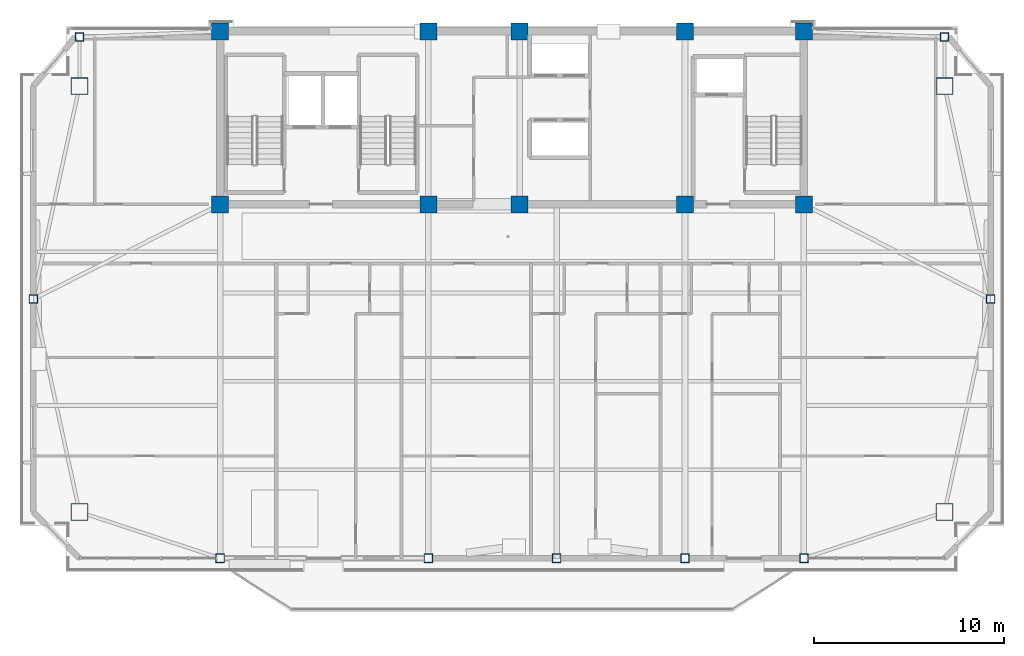
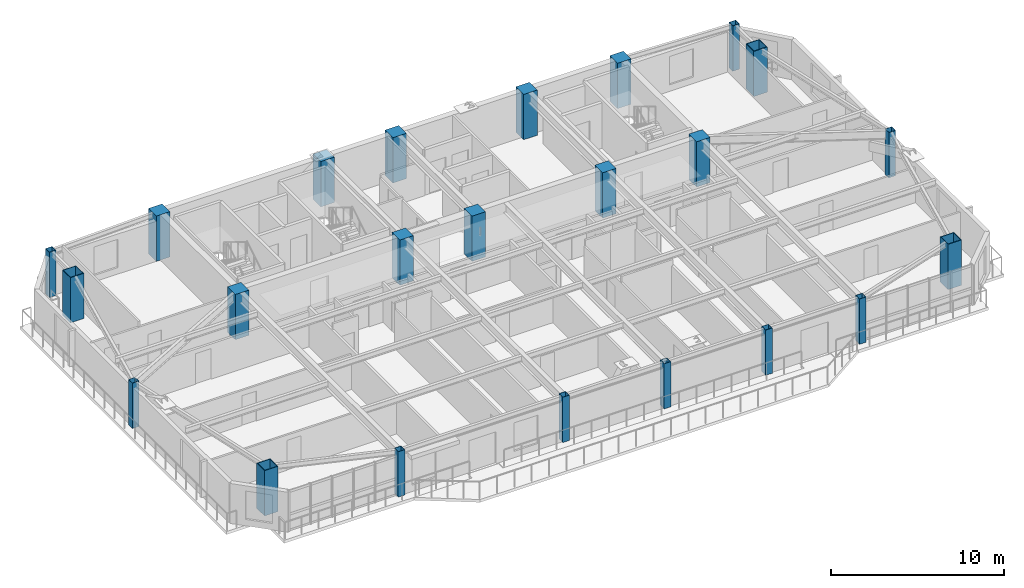
# One storey, part 1 of 15: 23 columns.
"""IFC4 building model written with IfcOpenShell, lengths in metres."""

from ifc_helpers import new_model, si_unit, direction, frame, origin, origin_2d, place, context, subcontext, project, spatial, rectangle, hollow_rectangle, extrude, source, transform, mapped, material, material_profile, profile_set, type_object, element, save


model = new_model("IFC4")

# Units and contexts
model_context = context("Model", 3, precision=1e-05, world=origin(), true_north=direction((0.0, 1.0)))
body_context = subcontext(model_context, "Body", "Model", "MODEL_VIEW")
ifc_project = project(units=[si_unit("LENGTHUNIT", "METRE"), si_unit("AREAUNIT", "SQUARE_METRE"), si_unit("VOLUMEUNIT", "CUBIC_METRE"), si_unit("PLANEANGLEUNIT", "RADIAN"), si_unit("MASSUNIT", "GRAM", prefix="KILO")], contexts=[model_context])

# Site, building, storey
site_placement = place(None, origin())
site = spatial("IfcSite", under=ifc_project, at=site_placement, CompositionType="ELEMENT")
building_placement = place(site_placement, origin())
building = spatial("IfcBuilding", under=site, at=building_placement, Name="Giltprow Tower", CompositionType="ELEMENT")
storey_placement = place(building_placement, frame((0.0, 0.0, 297.199951171875)))
storey = spatial("IfcBuildingStorey", under=building, at=storey_placement, Name="L76", CompositionType="ELEMENT", Elevation=297.199951171875)

# Columns
ifc_material_1 = material(Name="Concrete C45", Category="concrete")
ifc_material_profile_1 = material_profile(ifc_material_1, rectangle(XDim=0.89990234375, YDim=0.89990234375, at=origin_2d()), Name="RC 900x900")
ifc_profile_set_1 = profile_set([ifc_material_profile_1], Name="Concrete C45")
column_type_1 = type_object("IfcColumnType", Name="PIL-RC-900-C45", PredefinedType="PILASTER", material=ifc_profile_set_1)
shared_shape_1 = source(origin(), body_context, "Body", "SweptSolid", [
    extrude(rectangle(XDim=0.89990234375, YDim=0.89990234375, at=origin_2d()), origin(), (0.0, 0.0, 1.0), 3.18505859375),
])
for number, where, z_axis, x_axis, name in (
    (1, (19.85009765625, 37.449951171875, 0.0), (0.0, 0.0, 1.0), (1.0, 0.0, 0.0), "L76 Core Boundary Pilaster 1-1"),
    (2, (19.85009765625, 46.550048828125, 0.0), (0.0, 0.0, 1.0), (1.0, 0.0, 0.0), "L76 Core Boundary Pilaster 1-2"),
    (3, (30.800048828125, 37.449951171875, 0.0), (0.0, 0.0, 1.0), (1.0, 0.0, 0.0), "L76 Core Boundary Pilaster 2-1"),
    (4, (30.800048828125, 46.550048828125, 0.0), (0.0, 0.0, 1.0), (1.0, 0.0, 0.0), "L76 Core Boundary Pilaster 2-2"),
    (5, (35.60009765625, 37.449951171875, 0.0), (0.0, 0.0, 1.0), (1.0, 0.0, 0.0), "L76 Core Boundary Pilaster 3-1"),
    (6, (35.60009765625, 46.550048828125, 0.0), (0.0, 0.0, 1.0), (1.0, 0.0, 0.0), "L76 Core Boundary Pilaster 3-2"),
    (7, (44.300048828125, 37.449951171875, 0.0), (0.0, 0.0, 1.0), (1.0, 0.0, 0.0), "L76 Core Boundary Pilaster 4-1"),
    (8, (44.300048828125, 46.550048828125, 0.0), (0.0, 0.0, 1.0), (1.0, 0.0, 0.0), "L76 Core Boundary Pilaster 4-2"),
    (9, (50.550048828125, 37.449951171875, 0.0), (0.0, 0.0, 1.0), (1.0, 0.0, 0.0), "L76 Core Boundary Pilaster 5-1"),
    (10, (50.550048828125, 46.550048828125, 0.0), (0.0, 0.0, 1.0), (1.0, 0.0, 0.0), "L76 Core Boundary Pilaster 5-2"),
):
    element("IfcColumn", number, at=place(storey_placement, frame(where, z_axis=z_axis, x_axis=x_axis)), inside=storey, type_object=column_type_1, Name=name, PredefinedType="PILASTER", context=body_context, shape_type="MappedRepresentation", body=[
        mapped(shared_shape_1, transform((0.0, 0.0, 0.0), x_axis=(1.0, 0.0, 0.0), y_axis=(0.0, 1.0, 0.0), z_axis=(0.0, 0.0, 1.0), scale=1.0)),
    ])
ifc_material_2 = material(Name="Structural steel Q420GJC", Category="steel")
ifc_material_profile_2 = material_profile(ifc_material_2, hollow_rectangle(XDim=0.89990234375, YDim=0.89990234375, WallThickness=0.0400390625, at=origin_2d()), Name="BOX 900x900x40")
ifc_profile_set_2 = profile_set([ifc_material_profile_2], Name="Structural steel Q420GJC")
column_type_2 = type_object("IfcColumnType", Name="COL-BOX-900x900x40", PredefinedType="COLUMN", material=ifc_profile_set_2)
shared_shape_2 = source(origin(), body_context, "Body", "SweptSolid", [
    extrude(hollow_rectangle(XDim=0.89990234375, YDim=0.89990234375, WallThickness=0.0400390625, at=origin_2d()), origin(), (0.0, 0.0, 1.0), 3.18505859375),
])
for number, where, z_axis, x_axis, name in (
    (11, (12.455078125, 21.27197265625, 0.0), (0.0, 0.0, 1.0), (1.0, 0.0, 0.0), "L76 Mega-Column MC_SW"),
    (12, (57.945068359375, 21.27197265625, 0.0), (0.0, 0.0, 1.0), (1.0, 0.0, 0.0), "L76 Mega-Column MC_SE"),
    (13, (12.455078125, 43.6689453125, 0.0), (0.0, 0.0, 1.0), (1.0, 0.0, 0.0), "L76 Mega-Column MC_NW"),
    (14, (57.945068359375, 43.6689453125, 0.0), (0.0, 0.0, 1.0), (1.0, 0.0, 0.0), "L76 Mega-Column MC_NE"),
):
    element("IfcColumn", number, at=place(storey_placement, frame(where, z_axis=z_axis, x_axis=x_axis)), inside=storey, type_object=column_type_2, Name=name, PredefinedType="COLUMN", context=body_context, shape_type="MappedRepresentation", body=[
        mapped(shared_shape_2, transform((0.0, 0.0, 0.0), x_axis=(1.0, 0.0, 0.0), y_axis=(0.0, 1.0, 0.0), z_axis=(0.0, 0.0, 1.0), scale=1.0)),
    ])
ifc_material_3 = material(Name="Structural steel Q355B", Category="steel")
ifc_material_profile_3 = material_profile(ifc_material_3, hollow_rectangle(XDim=0.449951171875, YDim=0.449951171875, WallThickness=0.02197265625, at=origin_2d()), Name="BOX 450x450x22")
ifc_profile_set_3 = profile_set([ifc_material_profile_3], Name="Structural steel Q355B")
column_type_3 = type_object("IfcColumnType", Name="COL-BOX-450x450x22", PredefinedType="COLUMN", material=ifc_profile_set_3)
shared_shape_3 = source(origin(), body_context, "Body", "SweptSolid", [
    extrude(hollow_rectangle(XDim=0.449951171875, YDim=0.449951171875, WallThickness=0.02197265625, at=origin_2d()), origin(), (0.0, 0.0, 1.0), 3.18505859375),
])
for number, where, z_axis, x_axis, name in (
    (15, (19.85009765625, 18.841064453125, 0.0), (0.0, 0.0, 1.0), (1.0, 0.0, 0.0), "L76 Perimeter Column S1"),
    (16, (30.800048828125, 18.841064453125, 0.0), (0.0, 0.0, 1.0), (1.0, 0.0, 0.0), "L76 Perimeter Column S2"),
    (17, (37.550048828125, 18.841064453125, 0.0), (0.0, 0.0, 1.0), (1.0, 0.0, 0.0), "L76 Perimeter Column S_MID"),
    (18, (44.300048828125, 18.841064453125, 0.0), (0.0, 0.0, 1.0), (1.0, 0.0, 0.0), "L76 Perimeter Column S3"),
    (19, (50.550048828125, 18.841064453125, 0.0), (0.0, 0.0, 1.0), (1.0, 0.0, 0.0), "L76 Perimeter Column S4"),
    (20, (10.02392578125, 32.470947265625, 0.0), (0.0, 0.0, 1.0), (1.0, 0.0, 0.0), "L76 Perimeter Column W_MID"),
    (21, (60.3759765625, 32.470947265625, 0.0), (0.0, 0.0, 1.0), (1.0, 0.0, 0.0), "L76 Perimeter Column E_MID"),
    (22, (12.455078125, 46.25, 0.0), (0.0, 0.0, 1.0), (1.0, 0.0, 0.0), "L76 Perimeter Column N_W"),
    (23, (57.945068359375, 46.25, 0.0), (0.0, 0.0, 1.0), (1.0, 0.0, 0.0), "L76 Perimeter Column N_E"),
):
    element("IfcColumn", number, at=place(storey_placement, frame(where, z_axis=z_axis, x_axis=x_axis)), inside=storey, type_object=column_type_3, Name=name, PredefinedType="COLUMN", context=body_context, shape_type="MappedRepresentation", body=[
        mapped(shared_shape_3, transform((0.0, 0.0, 0.0), x_axis=(1.0, 0.0, 0.0), y_axis=(0.0, 1.0, 0.0), z_axis=(0.0, 0.0, 1.0), scale=1.0)),
    ])

save(model, "model.ifc")
